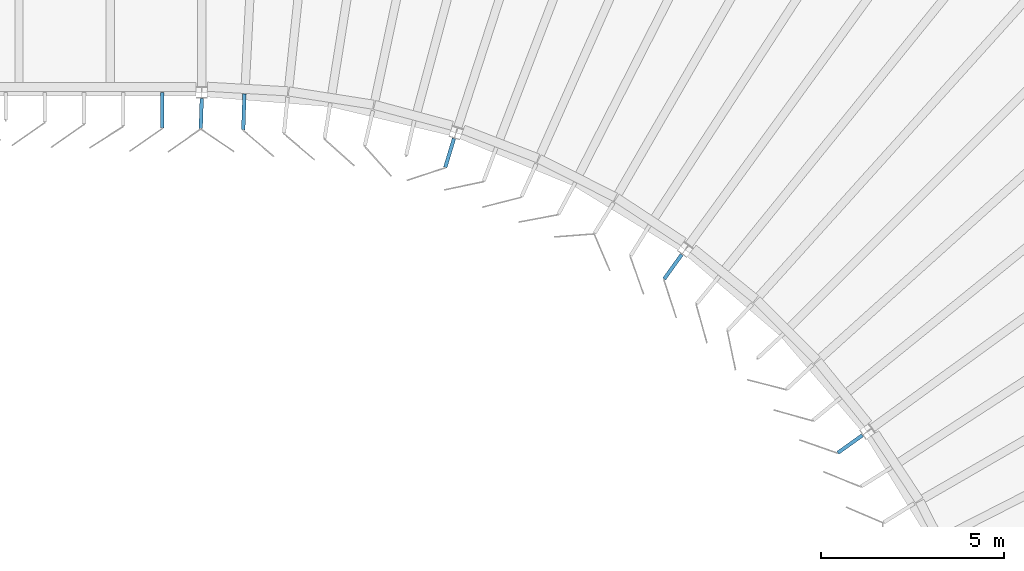
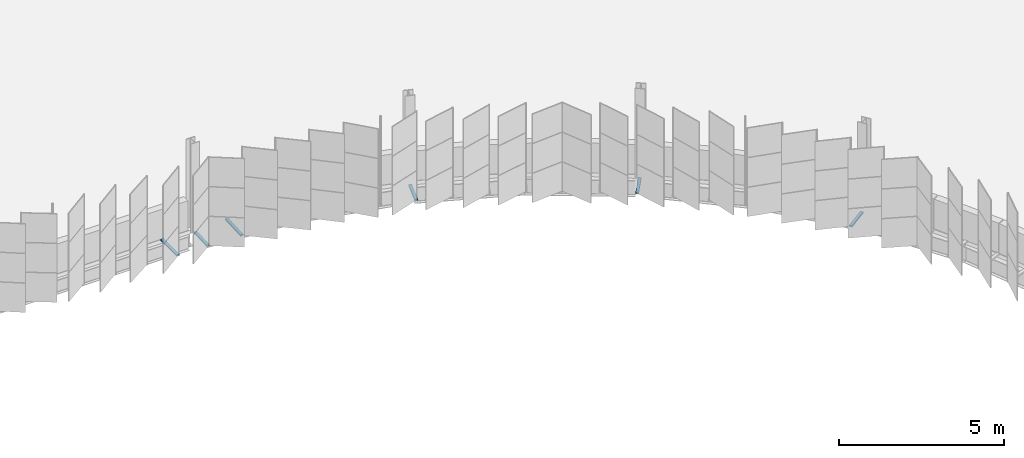
# One storey, part 186 of 214: 6 discrete accessories.
"""IFC4 building model written with IfcOpenShell, lengths in metres."""

from ifc_helpers import new_model, si_unit, direction, frame, origin, origin_2d, place, context, subcontext, project, spatial, rectangle, extrude, material, type_object, element, save


model = new_model("IFC4")

# Units and contexts
model_context = context("Model", 3, precision=1e-05, world=origin(), true_north=direction((0.0, 1.0)))
body_context = subcontext(model_context, "Body", "Model", "MODEL_VIEW")
ifc_project = project(units=[si_unit("LENGTHUNIT", "METRE"), si_unit("AREAUNIT", "SQUARE_METRE"), si_unit("VOLUMEUNIT", "CUBIC_METRE"), si_unit("PLANEANGLEUNIT", "RADIAN"), si_unit("MASSUNIT", "GRAM", prefix="KILO")], contexts=[model_context])

# Site, building, storey
site_placement = place(None, origin())
site = spatial("IfcSite", under=ifc_project, at=site_placement, CompositionType="ELEMENT")
building_placement = place(site_placement, origin())
building = spatial("IfcBuilding", under=site, at=building_placement, Name="Parallax Yard Mobility Hub", CompositionType="ELEMENT")
storey_placement = place(building_placement, frame((0.0, 0.0, 3.300048828125)))
storey = spatial("IfcBuildingStorey", under=building, at=storey_placement, Name="L01", CompositionType="ELEMENT", Elevation=3.300048828125)

# Discrete accessories
ifc_material = material(Name="Steel ASTM A36, hot-dip galvanised", Category="steel")
discrete_accessory_type = type_object("IfcDiscreteAccessoryType", Name="Hinge bracket plate 100x50", PredefinedType="BRACKET", material=ifc_material)
discrete_accessory_1_placement = place(storey_placement, frame((171.423583984375, 112.0166015625, -0.02490234375), z_axis=(0.0, 0.0, 1.0), x_axis=(0.0, -1.0, 0.0)))
element("IfcDiscreteAccessory", 1, at=discrete_accessory_1_placement, inside=storey, type_object=discrete_accessory_type, Name="Hinge bracket plate bay 17.7 level L01", PredefinedType="BRACKET", context=body_context, shape_type="SweptSolid", body=[
    extrude(rectangle(XDim=0.968017578125, YDim=0.10009765625, at=origin_2d()), origin(), (0.0, 0.0, 1.0), 0.050048828125),
])
discrete_accessory_2_placement = place(storey_placement, frame((172.486083984375, 111.927978515625, -0.02490234375), z_axis=(0.0, 0.0, 1.0), x_axis=(-0.032719082822, -0.999464587476, 0.0)))
element("IfcDiscreteAccessory", 2, at=discrete_accessory_2_placement, inside=storey, type_object=discrete_accessory_type, Name="Hinge bracket plate bay 18.1 level L01", PredefinedType="BRACKET", context=body_context, shape_type="SweptSolid", body=[
    extrude(rectangle(XDim=0.8232421875, YDim=0.10009765625, at=origin_2d()), origin(), (0.0, 0.0, 1.0), 0.050048828125),
])
discrete_accessory_3_placement = place(storey_placement, frame((173.651123046875, 111.970458984375, -0.02490234375), z_axis=(0.0, 0.0, 1.0), x_axis=(-0.032719082822, -0.999464587476, 0.0)))
element("IfcDiscreteAccessory", 3, at=discrete_accessory_3_placement, inside=storey, type_object=discrete_accessory_type, Name="Hinge bracket plate bay 18.2 level L01", PredefinedType="BRACKET", context=body_context, shape_type="SweptSolid", body=[
    extrude(rectangle(XDim=0.984130859375, YDim=0.10009765625, at=origin_2d()), origin(), (0.0, 0.0, 1.0), 0.050048828125),
])
discrete_accessory_4_placement = place(storey_placement, frame((179.2783203125, 110.84521484375, -0.02490234375), z_axis=(0.0, 0.0, 1.0), x_axis=(-0.290284677254, -0.956940335732, 0.0)))
element("IfcDiscreteAccessory", 4, at=discrete_accessory_4_placement, inside=storey, type_object=discrete_accessory_type, Name="Hinge bracket plate bay 19.1 level L01", PredefinedType="BRACKET", context=body_context, shape_type="SweptSolid", body=[
    extrude(rectangle(XDim=0.822265625, YDim=0.10009765625, at=origin_2d()), origin(), (0.0, 0.0, 1.0), 0.050048828125),
])
for number, where, z_axis, x_axis, name in (
    (5, (185.38427734375, 107.729736328125, -0.02490234375), (0.0, 0.0, 1.0), (-0.582477696868, -0.812846684592, 0.0), "Hinge bracket plate bay 20.1 level L01"),
    (6, (190.22998046875, 102.8837890625, -0.02490234375), (0.0, 0.0, 1.0), (-0.812846684592, -0.582477696868, 0.0), "Hinge bracket plate bay 21.1 level L01"),
):
    element("IfcDiscreteAccessory", number, at=place(storey_placement, frame(where, z_axis=z_axis, x_axis=x_axis)), inside=storey, type_object=discrete_accessory_type, Name=name, PredefinedType="BRACKET", context=body_context, shape_type="SweptSolid", body=[
        extrude(rectangle(XDim=0.82421875, YDim=0.10009765625, at=origin_2d()), origin(), (0.0, 0.0, 1.0), 0.050048828125),
    ])

save(model, "model.ifc")
